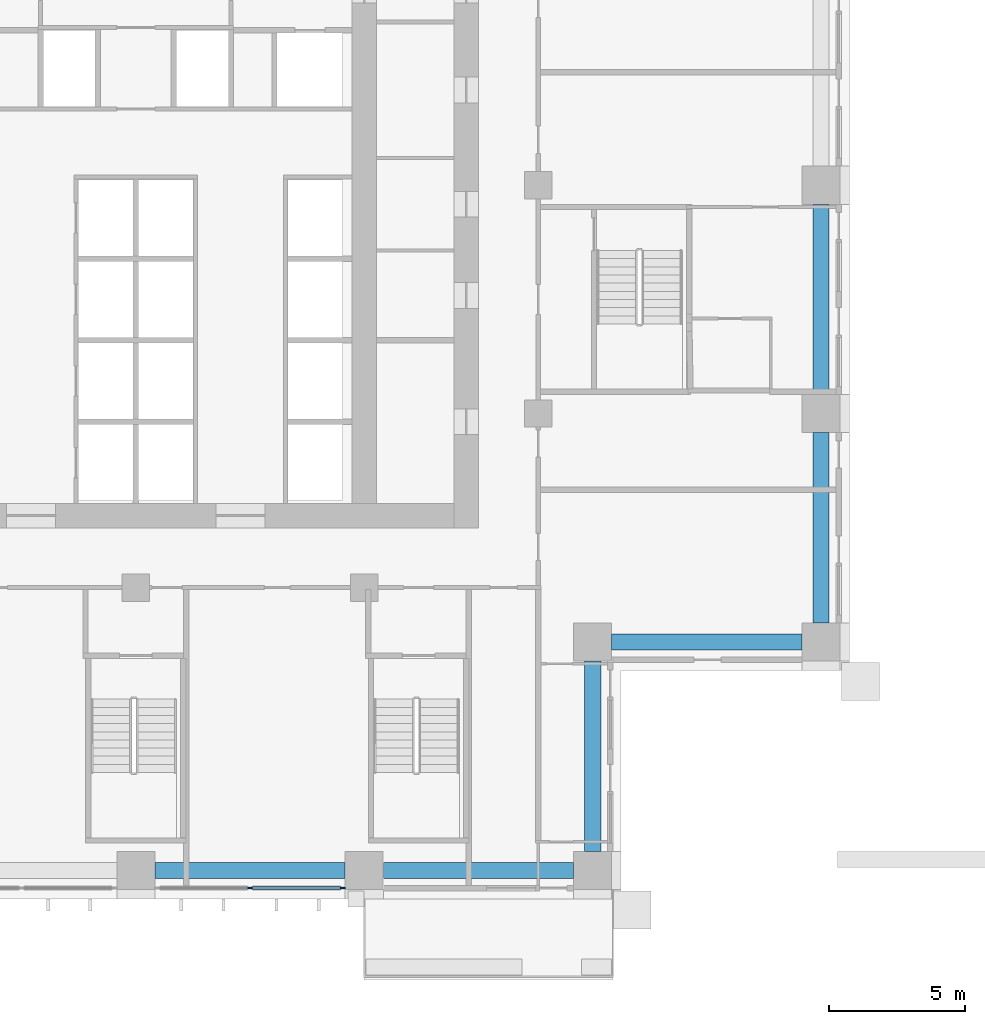
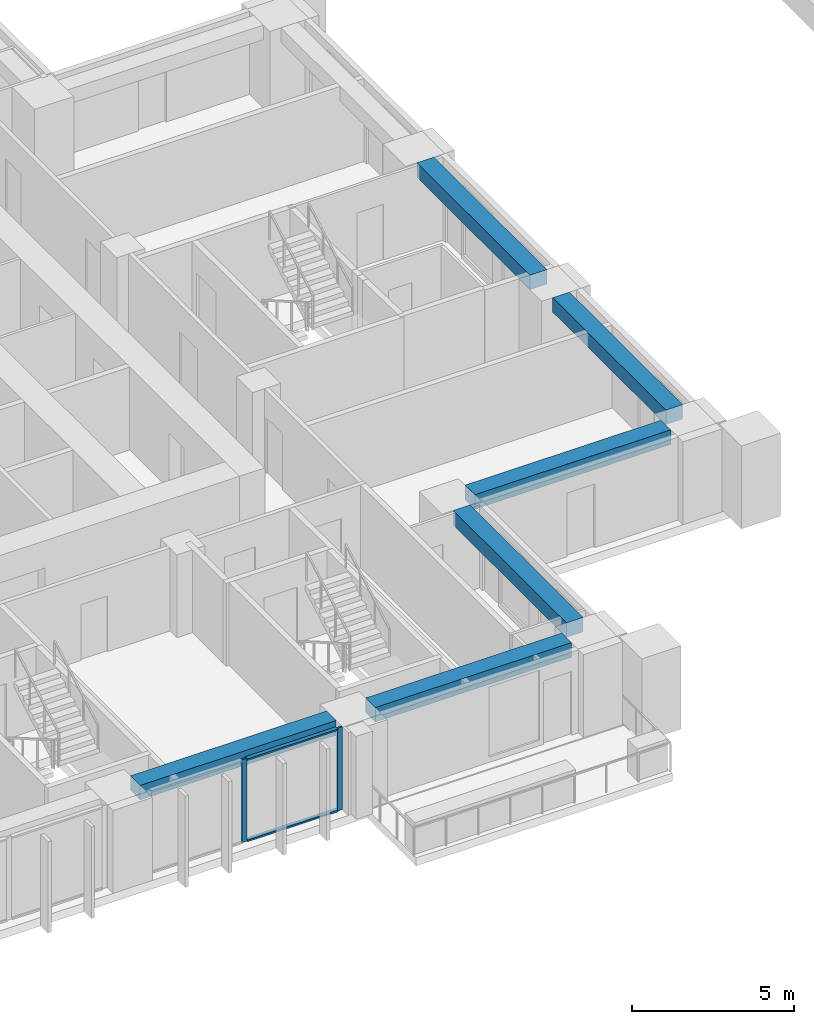
# One storey, part 4 of 18: 6 beams, 4 members, 1 element without a shape of its own.
"""IFC4 building model written with IfcOpenShell, lengths in metres."""

from ifc_helpers import new_model, si_unit, direction, frame, origin, origin_2d, place, context, subcontext, project, spatial, rectangle, extrude, material, material_profile, profile_set, type_object, element, aggregate, save


model = new_model("IFC4")

# Units and contexts
model_context = context("Model", 3, precision=1e-05, world=origin(), true_north=direction((0.0, 1.0)))
body_context = subcontext(model_context, "Body", "Model", "MODEL_VIEW")
ifc_project = project(units=[si_unit("LENGTHUNIT", "METRE"), si_unit("AREAUNIT", "SQUARE_METRE"), si_unit("VOLUMEUNIT", "CUBIC_METRE"), si_unit("PLANEANGLEUNIT", "RADIAN"), si_unit("MASSUNIT", "GRAM", prefix="KILO")], contexts=[model_context])

# Site, building, storey
site_placement = place(None, origin())
site = spatial("IfcSite", under=ifc_project, at=site_placement, CompositionType="ELEMENT")
building_placement = place(site_placement, origin())
building = spatial("IfcBuilding", under=site, at=building_placement, Name="Vermilion Ogive Tower", CompositionType="ELEMENT")
storey_placement = place(building_placement, frame((0.0, 0.0, 34.5)))
storey = spatial("IfcBuildingStorey", under=building, at=storey_placement, Name="L06", CompositionType="ELEMENT", Elevation=34.5)

# Curtain wall, members
ifc_material_1 = material(Name="Low-iron laminated glazing in aluminium frame", Category="aluminium")
curtain_wall_type = type_object("IfcCurtainWallType", Name="Curtain wall CW7", PredefinedType="NOTDEFINED", material=ifc_material_1)
curtain_wall_placement = place(storey_placement, origin())
curtain_wall = element("IfcCurtainWall", 1, at=curtain_wall_placement, inside=storey, type_object=curtain_wall_type, Name="Glazed skin S3", PredefinedType="NOTDEFINED")
ifc_material_2 = material(Name="Aluminium mullion", Category="aluminium")
ifc_material_profile_1 = material_profile(ifc_material_2, rectangle(XDim=0.06005859375, YDim=0.179931640625, at=origin_2d()), Name="AL 60x180")
ifc_profile_set_1 = profile_set([ifc_material_profile_1], Name="Aluminium mullion")
member_type_1 = type_object("IfcMemberType", Name="CW7 mullion 60x180", PredefinedType="MULLION", material=ifc_profile_set_1)
member_1_placement = place(storey_placement, frame((4.199951171875, -21.64990234375, 0.0), z_axis=(0.0, 0.0, 1.0), x_axis=(0.0, 1.0, 0.0)))
member_1 = element("IfcMember", 2, at=member_1_placement, type_object=member_type_1, Name="CW7-S3 mullion 2", PredefinedType="MULLION", context=body_context, shape_type="SweptSolid", body=[
    extrude(rectangle(XDim=0.06005859375, YDim=0.179931640625, at=origin_2d()), origin(), (0.0, 0.0, 1.0), 3.1298828125),
])
member_2_placement = place(storey_placement, frame((7.610107421875, -21.64990234375, 0.0), z_axis=(0.0, 0.0, 1.0), x_axis=(0.0, 1.0, 0.0)))
member_2 = element("IfcMember", 3, at=member_2_placement, type_object=member_type_1, Name="CW7-S3 mullion 3", PredefinedType="MULLION", context=body_context, shape_type="SweptSolid", body=[
    extrude(rectangle(XDim=0.06005859375, YDim=0.179931640625, at=origin_2d()), origin(), (0.0, 0.0, 1.0), 3.1298828125),
])
ifc_material_3 = material(Name="Aluminium transom", Category="aluminium")
ifc_material_profile_2 = material_profile(ifc_material_3, rectangle(XDim=0.139892578125, YDim=0.06005859375, at=origin_2d()), Name="AL 60x140")
ifc_profile_set_2 = profile_set([ifc_material_profile_2], Name="Aluminium transom")
member_type_2 = type_object("IfcMemberType", Name="CW7 transom 60x140", PredefinedType="USERDEFINED", material=ifc_profile_set_2)
member_3_placement = place(storey_placement, frame((4.2900390625, -21.64990234375, 0.030029296875), z_axis=(1.0, 0.0, 0.0), x_axis=(0.0, 1.0, 0.0)))
member_3 = element("IfcMember", 4, at=member_3_placement, type_object=member_type_2, Name="CW7-S3 transom 2.1", ObjectType="TRANSOM", PredefinedType="USERDEFINED", context=body_context, shape_type="SweptSolid", body=[
    extrude(rectangle(XDim=0.139892578125, YDim=0.06005859375, at=origin_2d()), origin(), (0.0, 0.0, 1.0), 3.22998046875),
])
member_4_placement = place(storey_placement, frame((4.2900390625, -21.64990234375, 3.10009765625), z_axis=(1.0, 0.0, 0.0), x_axis=(0.0, 1.0, 0.0)))
member_4 = element("IfcMember", 5, at=member_4_placement, type_object=member_type_2, Name="CW7-S3 transom 2.2", ObjectType="TRANSOM", PredefinedType="USERDEFINED", context=body_context, shape_type="SweptSolid", body=[
    extrude(rectangle(XDim=0.139892578125, YDim=0.06005859375, at=origin_2d()), origin(), (0.0, 0.0, 1.0), 3.22998046875),
])
aggregate(curtain_wall, [member_1, member_2, member_3, member_4])

# Beams
ifc_material_4 = material(Name="Concrete B45", Category="concrete")
ifc_material_profile_3 = material_profile(ifc_material_4, rectangle(XDim=0.60009765625, YDim=0.550048828125, at=origin_2d()), Name="600 x 550")
ifc_profile_set_3 = profile_set([ifc_material_profile_3], Name="Concrete B45")
beam_type = type_object("IfcBeamType", Name="Edge beam 600 x 550 B45", PredefinedType="BEAM", material=ifc_profile_set_3)
for number, where, z_axis, x_axis, name in (
    (6, (0.699951171875, -21.0, 2.85498046875), (1.0, 0.0, 0.0), (0.0, 1.0, 0.0), "L06-EB-3"),
    (7, (9.10009765625, -21.0, 2.85498046875), (1.0, 0.0, 0.0), (0.0, 1.0, 0.0), "L06-EB-4"),
    (8, (16.800048828125, -20.300048828125, 2.85498046875), (0.0, 1.0, 0.0), (-1.0, 0.0, 0.0), "L06-EB-5"),
    (9, (17.5, -12.60009765625, 2.85498046875), (1.0, 0.0, 0.0), (0.0, 1.0, 0.0), "L06-EB-6"),
    (10, (25.199951171875, -11.89990234375, 2.85498046875), (0.0, 1.0, 0.0), (-1.0, 0.0, 0.0), "L06-EB-7"),
    (11, (25.199951171875, -3.5, 2.85498046875), (0.0, 1.0, 0.0), (-1.0, 0.0, 0.0), "L06-EB-8"),
):
    element("IfcBeam", number, at=place(storey_placement, frame(where, z_axis=z_axis, x_axis=x_axis)), inside=storey, type_object=beam_type, Name=name, PredefinedType="BEAM", context=body_context, shape_type="SweptSolid", body=[
        extrude(rectangle(XDim=0.60009765625, YDim=0.550048828125, at=origin_2d()), origin(), (0.0, 0.0, 1.0), 7.0),
    ])

save(model, "model.ifc")
